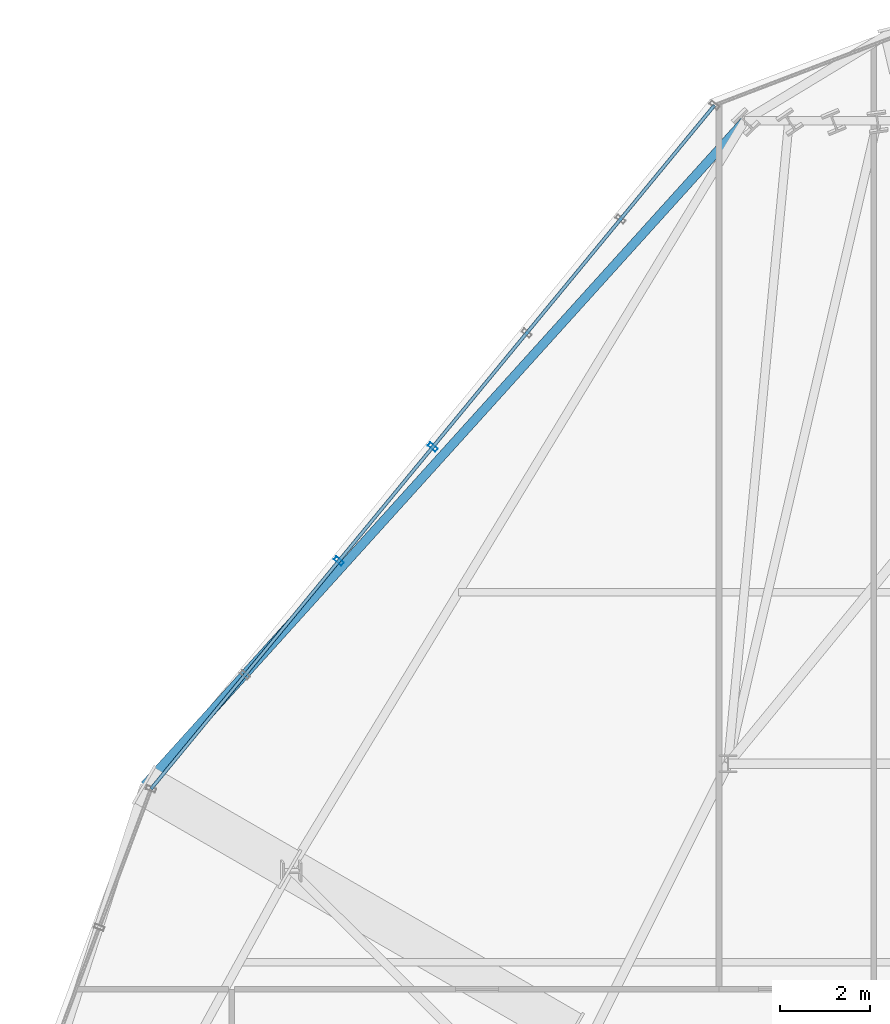
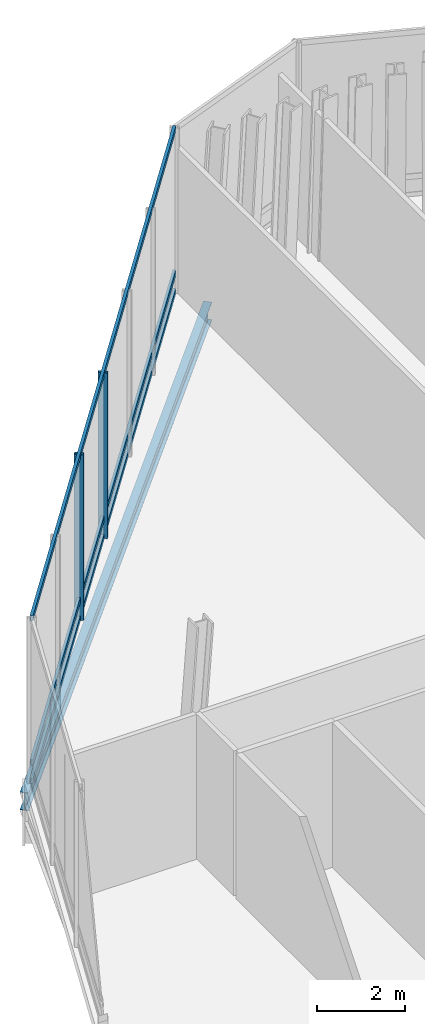
# One storey, part 15 of 28: 5 members, 1 beam, 1 element without a shape of its own.
"""IFC4 building model written with IfcOpenShell, lengths in metres."""

from ifc_helpers import new_model, si_unit, direction, frame, origin, origin_2d, place, context, subcontext, project, spatial, hollow_rectangle, i_section, extrude, material, layer, layer_set, material_profile, profile_set, type_object, element, aggregate, save


model = new_model("IFC4")

# Units and contexts
model_context = context("Model", 3, precision=1e-05, world=origin(), true_north=direction((0.0, 1.0)))
body_context = subcontext(model_context, "Body", "Model", "MODEL_VIEW")
ifc_project = project(units=[si_unit("LENGTHUNIT", "METRE"), si_unit("AREAUNIT", "SQUARE_METRE"), si_unit("VOLUMEUNIT", "CUBIC_METRE"), si_unit("PLANEANGLEUNIT", "RADIAN"), si_unit("MASSUNIT", "GRAM", prefix="KILO")], contexts=[model_context])

# Site, building, storey
site_placement = place(None, origin())
site = spatial("IfcSite", under=ifc_project, at=site_placement, CompositionType="ELEMENT")
building_placement = place(site_placement, origin())
building = spatial("IfcBuilding", under=site, at=building_placement, Name="Ndaravel Arena Tower", CompositionType="ELEMENT")
storey_placement = place(building_placement, frame((0.0, 0.0, 213.199951171875)))
storey = spatial("IfcBuildingStorey", under=building, at=storey_placement, Name="L51", CompositionType="ELEMENT", Elevation=213.199951171875)

# Beam
ifc_material_1 = material(Name="Steel S355", Category="steel")
ifc_material_profile_1 = material_profile(ifc_material_1, i_section(OverallWidth=0.199951171875, OverallDepth=0.5, WebThickness=0.01025390625, FlangeThickness=0.01611328125, FilletRadius=0.02099609375, at=origin_2d()), Name="IPE 500")
ifc_profile_set_1 = profile_set([ifc_material_profile_1], Name="Steel S355")
beam_type = type_object("IfcBeamType", Name="BM-SPAN-IPE500", PredefinedType="SPANDREL", material=ifc_profile_set_1)
beam_placement = place(storey_placement, frame((38.568603515625, 45.44482421875, -0.530029296875), z_axis=(-0.670281447872, -0.742106987327, 0.0), x_axis=(0.742106987327, -0.670281447872, 0.0)))
element("IfcBeam", 1, at=beam_placement, inside=storey, type_object=beam_type, Name="L51 Star Facet Edge Beam SEA-6", PredefinedType="SPANDREL", context=body_context, shape_type="SweptSolid", body=[
    extrude(i_section(OverallWidth=0.199951171875, OverallDepth=0.5, WebThickness=0.01025390625, FlangeThickness=0.01611328125, FilletRadius=0.02099609375, at=origin_2d()), origin(), (0.0, 0.0, 1.0), 19.8369140625),
])

# Curtain wall, members
ifc_material_2 = material(Name="Aluminium", Category="aluminium")
ifc_layer = layer(ifc_material_2, 0.179931640625)
ifc_layer_set = layer_set([ifc_layer], Name="Aluminium")
curtain_wall_type = type_object("IfcCurtainWallType", Name="CW-SYS-04", PredefinedType="NOTDEFINED", material=ifc_layer_set)
curtain_wall_placement = place(storey_placement, origin())
curtain_wall = element("IfcCurtainWall", 2, at=curtain_wall_placement, inside=storey, type_object=curtain_wall_type, Name="L51 Faceted Crystal Curtain Wall CW-L51-E10", PredefinedType="NOTDEFINED")
ifc_material_3 = material(Name="Aluminium", Category="aluminium")
ifc_material_profile_2 = material_profile(ifc_material_3, hollow_rectangle(XDim=0.090087890625, YDim=0.219970703125, WallThickness=0.0048828125, at=origin_2d()), Name="CW MULLION 90x220x5")
ifc_profile_set_2 = profile_set([ifc_material_profile_2], Name="Aluminium")
member_type_1 = type_object("IfcMemberType", Name="MEM-CW-MUL220", PredefinedType="MULLION", material=ifc_profile_set_2)
member_1_placement = place(storey_placement, frame((31.655029296875, 38.216552734375, 0.0), z_axis=(0.0, 0.0, 1.0), x_axis=(-0.636024349169, -0.771668988144, 0.0)))
member_1 = element("IfcMember", 3, at=member_1_placement, type_object=member_type_1, Name="CW-L51-E10 Mullion 03", PredefinedType="MULLION", context=body_context, shape_type="SweptSolid", body=[
    extrude(hollow_rectangle(XDim=0.090087890625, YDim=0.219970703125, WallThickness=0.0048828125, at=origin_2d()), origin(), (0.0, 0.0, 1.0), 4.580078125),
])
member_2_placement = place(storey_placement, frame((29.57421875, 35.69189453125, 0.0), z_axis=(0.0, 0.0, 1.0), x_axis=(-0.636024349169, -0.771668988144, 0.0)))
member_2 = element("IfcMember", 4, at=member_2_placement, type_object=member_type_1, Name="CW-L51-E10 Mullion 04", PredefinedType="MULLION", context=body_context, shape_type="SweptSolid", body=[
    extrude(hollow_rectangle(XDim=0.090087890625, YDim=0.219970703125, WallThickness=0.0048828125, at=origin_2d()), origin(), (0.0, 0.0, 1.0), 4.580078125),
])
ifc_material_4 = material(Name="Aluminium", Category="aluminium")
ifc_material_profile_3 = material_profile(ifc_material_4, hollow_rectangle(XDim=0.074951171875, YDim=0.14990234375, WallThickness=0.00390625, at=origin_2d()), Name="CW TRANSOM 75x150x4")
ifc_profile_set_3 = profile_set([ifc_material_profile_3], Name="Aluminium")
member_type_2 = type_object("IfcMemberType", Name="MEM-CW-TRN150", PredefinedType="USERDEFINED", material=ifc_profile_set_3)
member_3_placement = place(storey_placement, frame((37.897705078125, 45.790283203125, 0.0400390625), z_axis=(-0.636026745069, -0.771667013391, 0.0), x_axis=(0.771667013391, -0.636026745069, 0.0)))
member_3 = element("IfcMember", 5, at=member_3_placement, type_object=member_type_2, Name="CW-L51-E10 Transom 01", ObjectType="TRANSOM", PredefinedType="USERDEFINED", context=body_context, shape_type="SweptSolid", body=[
    extrude(hollow_rectangle(XDim=0.074951171875, YDim=0.14990234375, WallThickness=0.00390625, at=origin_2d()), origin(), (0.0, 0.0, 1.0), 19.6298828125),
])
member_4_placement = place(storey_placement, frame((37.897705078125, 45.790283203125, 0.550048828125), z_axis=(-0.636026745069, -0.771667013391, 0.0), x_axis=(0.771667013391, -0.636026745069, 0.0)))
member_4 = element("IfcMember", 6, at=member_4_placement, type_object=member_type_2, Name="CW-L51-E10 Transom 02", ObjectType="TRANSOM", PredefinedType="USERDEFINED", context=body_context, shape_type="SweptSolid", body=[
    extrude(hollow_rectangle(XDim=0.074951171875, YDim=0.14990234375, WallThickness=0.00390625, at=origin_2d()), origin(), (0.0, 0.0, 1.0), 19.6298828125),
])
member_5_placement = place(storey_placement, frame((37.897705078125, 45.790283203125, 4.5400390625), z_axis=(-0.636026745069, -0.771667013391, 0.0), x_axis=(0.771667013391, -0.636026745069, 0.0)))
member_5 = element("IfcMember", 7, at=member_5_placement, type_object=member_type_2, Name="CW-L51-E10 Transom 03", ObjectType="TRANSOM", PredefinedType="USERDEFINED", context=body_context, shape_type="SweptSolid", body=[
    extrude(hollow_rectangle(XDim=0.074951171875, YDim=0.14990234375, WallThickness=0.00390625, at=origin_2d()), origin(), (0.0, 0.0, 1.0), 19.6298828125),
])
aggregate(curtain_wall, [member_1, member_2, member_3, member_4, member_5])

save(model, "model.ifc")
